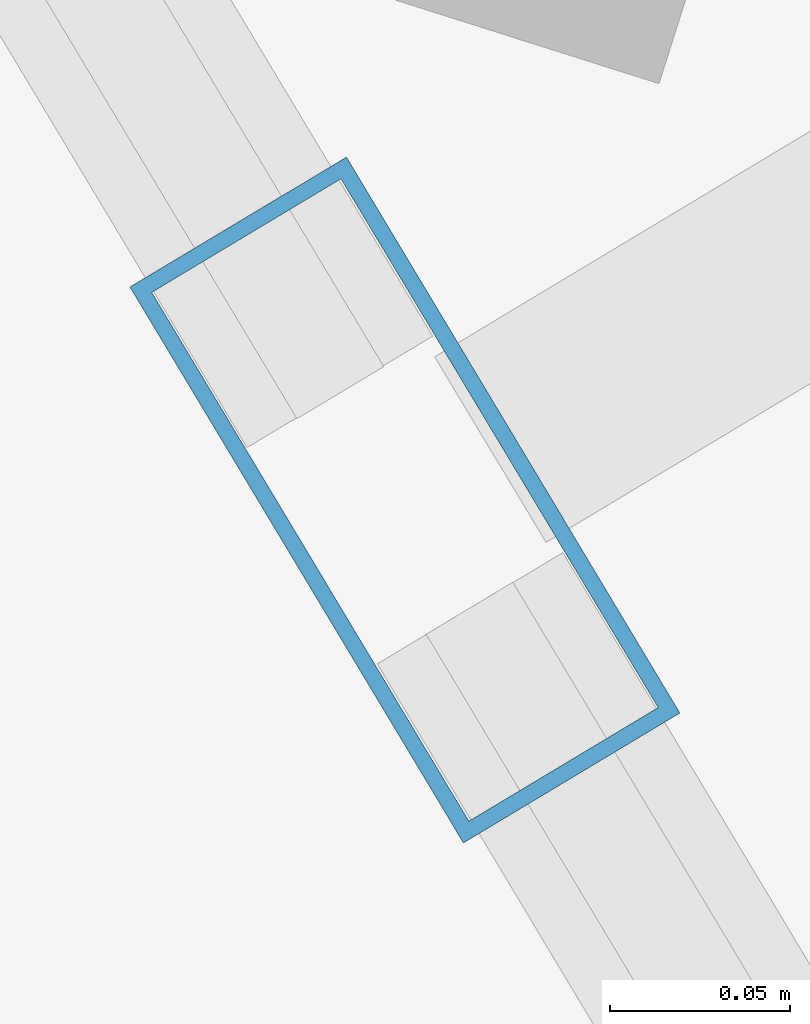
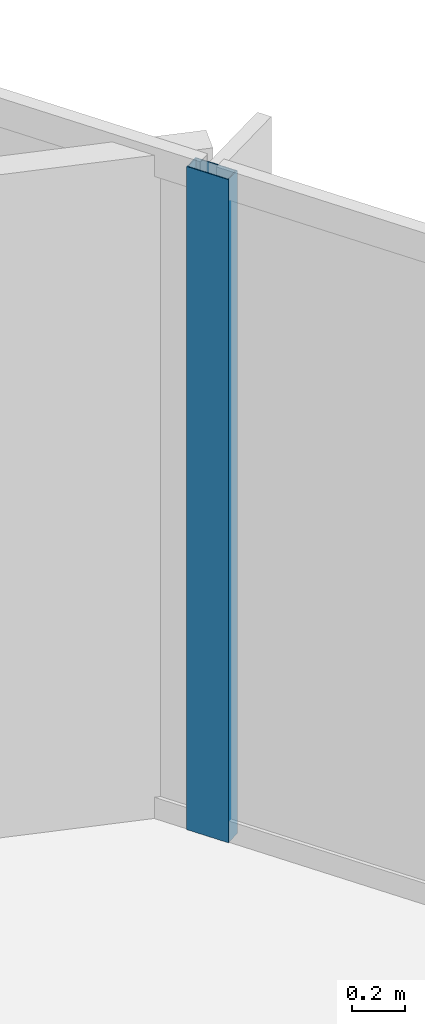
# One storey, part 18 of 35: 1 member, 1 element without a shape of its own.
"""IFC4 building model written with IfcOpenShell, lengths in metres."""

from ifc_helpers import new_model, si_unit, direction, frame, origin, origin_2d, place, context, subcontext, project, spatial, hollow_rectangle, extrude, material, layer, layer_set, material_profile, profile_set, type_object, element, aggregate, save


model = new_model("IFC4")

# Units and contexts
model_context = context("Model", 3, precision=1e-05, world=origin(), true_north=direction((0.0, 1.0)))
body_context = subcontext(model_context, "Body", "Model", "MODEL_VIEW")
ifc_project = project(units=[si_unit("LENGTHUNIT", "METRE"), si_unit("AREAUNIT", "SQUARE_METRE"), si_unit("VOLUMEUNIT", "CUBIC_METRE"), si_unit("PLANEANGLEUNIT", "RADIAN"), si_unit("MASSUNIT", "GRAM", prefix="KILO")], contexts=[model_context])

# Site, building, storey
site_placement = place(None, origin())
site = spatial("IfcSite", under=ifc_project, at=site_placement, CompositionType="ELEMENT")
building_placement = place(site_placement, origin())
building = spatial("IfcBuilding", under=site, at=building_placement, Name="Orvanel Arch Residences", CompositionType="ELEMENT")
storey_placement = place(building_placement, frame((0.0, 0.0, 33.5)))
storey = spatial("IfcBuildingStorey", under=building, at=storey_placement, Name="L08", CompositionType="ELEMENT", Elevation=33.5)

# Curtain wall, member
ifc_material = material(Name="Bronze-anodised aluminium AA6063-T6", Category="aluminium")
ifc_layer = layer(ifc_material, 0.179931640625)
ifc_layer_set = layer_set([ifc_layer], Name="Bronze-anodised aluminium AA6063-T6")
curtain_wall_type = type_object("IfcCurtainWallType", Name="CW2-LOW-SYS", PredefinedType="NOTDEFINED", material=ifc_layer_set)
curtain_wall_placement = place(storey_placement, origin())
curtain_wall = element("IfcCurtainWall", 1, at=curtain_wall_placement, inside=storey, type_object=curtain_wall_type, Name="L08 CW2-LOW-SYS Unitised Curtain Wall", PredefinedType="NOTDEFINED")
ifc_material_profile = material_profile(ifc_material, hollow_rectangle(XDim=0.070068359375, YDim=0.179931640625, WallThickness=0.00439453125, at=origin_2d()), Name="ALU180x70x4.5")
ifc_profile_set = profile_set([ifc_material_profile], Name="Bronze-anodised aluminium AA6063-T6")
member_type = type_object("IfcMemberType", Name="MUL-180x70", PredefinedType="MULLION", material=ifc_profile_set)
member_placement = place(storey_placement, frame((50.314453125, 30.403076171875, 0.0), z_axis=(0.0, 0.0, 1.0), x_axis=(-0.857554559604, -0.514393018326, 0.0)))
member = element("IfcMember", 2, at=member_placement, type_object=member_type, Name="CW-S2 mullion 2", PredefinedType="MULLION", context=body_context, shape_type="SweptSolid", body=[
    extrude(hollow_rectangle(XDim=0.070068359375, YDim=0.179931640625, WallThickness=0.00439453125, at=origin_2d()), origin(), (0.0, 0.0, 1.0), 3.06005859375),
])
aggregate(curtain_wall, [member])

save(model, "model.ifc")
